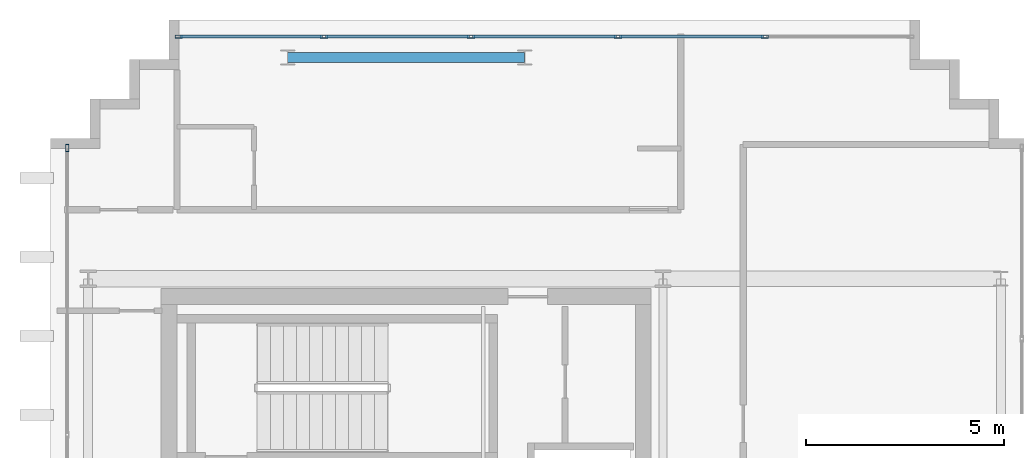
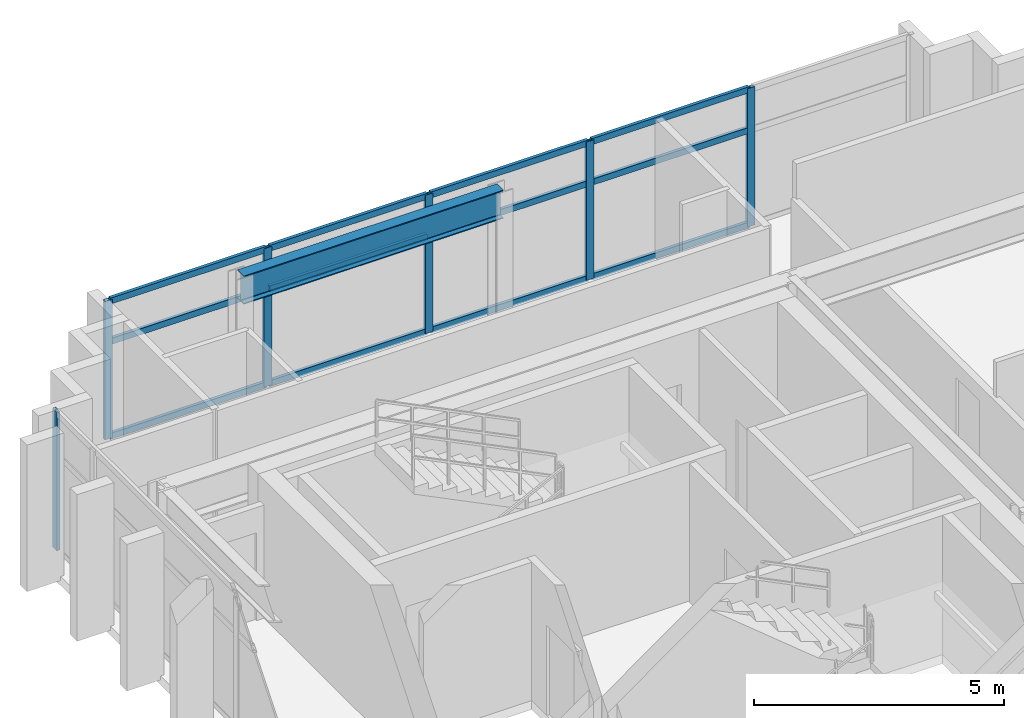
# One storey, part 9 of 15: 18 members, 1 beam, 2 elements without a shape of their own.
"""IFC4 building model written with IfcOpenShell, lengths in metres."""

from ifc_helpers import new_model, si_unit, direction, frame, origin, origin_2d, place, context, subcontext, project, spatial, hollow_rectangle, i_section, extrude, source, transform, mapped, material, layer, layer_set, material_profile, profile_set, type_object, element, aggregate, save


model = new_model("IFC4")

# Units and contexts
model_context = context("Model", 3, precision=1e-05, world=origin(), true_north=direction((0.0, 1.0)))
body_context = subcontext(model_context, "Body", "Model", "MODEL_VIEW")
ifc_project = project(units=[si_unit("LENGTHUNIT", "METRE"), si_unit("AREAUNIT", "SQUARE_METRE"), si_unit("VOLUMEUNIT", "CUBIC_METRE"), si_unit("PLANEANGLEUNIT", "RADIAN"), si_unit("MASSUNIT", "GRAM", prefix="KILO")], contexts=[model_context])

# Site, building, storey
site_placement = place(None, origin())
site = spatial("IfcSite", under=ifc_project, at=site_placement, CompositionType="ELEMENT")
building_placement = place(site_placement, origin())
building = spatial("IfcBuilding", under=site, at=building_placement, Name="Ocotamira Hotel", CompositionType="ELEMENT")
storey_placement = place(building_placement, frame((0.0, 0.0, 276.0)))
storey = spatial("IfcBuildingStorey", under=building, at=storey_placement, Name="L70", CompositionType="ELEMENT", Elevation=276.0)

# Beam
ifc_material_1 = material(Name="Steel ASTM A992 Grade 50", Category="steel")
ifc_material_profile_1 = material_profile(ifc_material_1, i_section(OverallWidth=0.256103515625, OverallDepth=0.693115234375, WebThickness=0.014404296875, FlangeThickness=0.023681640625, FilletRadius=0.01611328125, at=origin_2d()), Name="W27X114")
ifc_profile_set_1 = profile_set([ifc_material_profile_1], Name="Steel ASTM A992 Grade 50")
beam_type = type_object("IfcBeamType", Name="BM-PRIM-W27X114", PredefinedType="BEAM", material=ifc_profile_set_1)
shared_shape_1 = source(origin(), body_context, "Body", "SweptSolid", [
    extrude(i_section(OverallWidth=0.256103515625, OverallDepth=0.693115234375, WebThickness=0.014404296875, FlangeThickness=0.023681640625, FilletRadius=0.01611328125, at=origin_2d()), origin(), (0.0, 0.0, 1.0), 6.0),
])
beam_placement = place(storey_placement, frame((14.0, 43.050048828125, 3.033447265625), z_axis=(1.0, 0.0, 0.0), x_axis=(0.0, 1.0, 0.0)))
element("IfcBeam", 1, at=beam_placement, inside=storey, type_object=beam_type, Name="L70 Girder Y43.05 X14-20", PredefinedType="BEAM", context=body_context, shape_type="MappedRepresentation", body=[
    mapped(shared_shape_1, transform((0.0, 0.0, 0.0), scale=1.0)),
])

# Curtain wall, members
ifc_material_2 = material(Name="Anodised pale-metal aluminium and solar glass", Category="aluminium")
ifc_layer = layer(ifc_material_2, 0.2099609375)
ifc_layer_set = layer_set([ifc_layer], Name="Anodised pale-metal aluminium and solar glass")
curtain_wall_type = type_object("IfcCurtainWallType", Name="CW-SYS7-PEAK", PredefinedType="NOTDEFINED", material=ifc_layer_set)
curtain_wall_1_placement = place(storey_placement, origin())
curtain_wall_1 = element("IfcCurtainWall", 2, at=curtain_wall_1_placement, inside=storey, type_object=curtain_wall_type, Name="L70 Curtain Wall CW-7 CW-L70-N", PredefinedType="NOTDEFINED")
ifc_material_3 = material(Name="Anodised pale-metal aluminium 6063-T6", Category="aluminium")
ifc_material_profile_2 = material_profile(ifc_material_3, hollow_rectangle(XDim=0.080078125, YDim=0.179931640625, WallThickness=0.006103515625, at=origin_2d()), Name="HSS180X80X6")
ifc_profile_set_2 = profile_set([ifc_material_profile_2], Name="Anodised pale-metal aluminium 6063-T6")
member_type_1 = type_object("IfcMemberType", Name="CWM-180X75", PredefinedType="MULLION", material=ifc_profile_set_2)
shared_shape_2 = source(origin(), body_context, "Body", "SweptSolid", [
    extrude(hollow_rectangle(XDim=0.080078125, YDim=0.179931640625, WallThickness=0.006103515625, at=origin_2d()), origin(), (0.0, 0.0, 1.0), 3.3798828125),
])
member_1_placement = place(storey_placement, frame((11.239990234375, 43.580078125, 0.0), z_axis=(0.0, 0.0, 1.0), x_axis=(0.0, 1.0, 0.0)))
member_1 = element("IfcMember", 3, at=member_1_placement, type_object=member_type_1, Name="CW-7 mullion 1", PredefinedType="MULLION", context=body_context, shape_type="MappedRepresentation", body=[
    mapped(shared_shape_2, transform((0.0, 0.0, 0.0), scale=1.0)),
])
member_2_placement = place(storey_placement, frame((14.919921875, 43.580078125, 0.0), z_axis=(0.0, 0.0, 1.0), x_axis=(0.0, 1.0, 0.0)))
member_2 = element("IfcMember", 4, at=member_2_placement, type_object=member_type_1, Name="CW-7 mullion 2", PredefinedType="MULLION", context=body_context, shape_type="MappedRepresentation", body=[
    mapped(shared_shape_2, transform((0.0, 0.0, 0.0), scale=1.0)),
])
member_3_placement = place(storey_placement, frame((18.639892578125, 43.580078125, 0.0), z_axis=(0.0, 0.0, 1.0), x_axis=(0.0, 1.0, 0.0)))
member_3 = element("IfcMember", 5, at=member_3_placement, type_object=member_type_1, Name="CW-7 mullion 3", PredefinedType="MULLION", context=body_context, shape_type="MappedRepresentation", body=[
    mapped(shared_shape_2, transform((0.0, 0.0, 0.0), scale=1.0)),
])
member_4_placement = place(storey_placement, frame((22.360107421875, 43.580078125, 0.0), z_axis=(0.0, 0.0, 1.0), x_axis=(0.0, 1.0, 0.0)))
member_4 = element("IfcMember", 6, at=member_4_placement, type_object=member_type_1, Name="CW-7 mullion 4", PredefinedType="MULLION", context=body_context, shape_type="MappedRepresentation", body=[
    mapped(shared_shape_2, transform((0.0, 0.0, 0.0), scale=1.0)),
])
member_5_placement = place(storey_placement, frame((26.080078125, 43.580078125, 0.0), z_axis=(0.0, 0.0, 1.0), x_axis=(0.0, 1.0, 0.0)))
member_5 = element("IfcMember", 7, at=member_5_placement, type_object=member_type_1, Name="CW-7 mullion 5", PredefinedType="MULLION", context=body_context, shape_type="MappedRepresentation", body=[
    mapped(shared_shape_2, transform((0.0, 0.0, 0.0), scale=1.0)),
])

# Curtain wall, member
curtain_wall_2_placement = place(storey_placement, origin())
curtain_wall_2 = element("IfcCurtainWall", 8, at=curtain_wall_2_placement, inside=storey, type_object=curtain_wall_type, Name="L70 Curtain Wall CW-7 CW-L70-W2", PredefinedType="NOTDEFINED")
member_6_placement = place(storey_placement, frame((8.419921875, 40.760009765625, 0.0), z_axis=(0.0, 0.0, 1.0), x_axis=(-1.0, 0.0, 0.0)))
member_6 = element("IfcMember", 9, at=member_6_placement, type_object=member_type_1, Name="CW-7 mullion 3", PredefinedType="MULLION", context=body_context, shape_type="MappedRepresentation", body=[
    mapped(shared_shape_2, transform((0.0, 0.0, 0.0), scale=1.0)),
])
aggregate(curtain_wall_2, [member_6])

# Member
ifc_material_profile_3 = material_profile(ifc_material_3, hollow_rectangle(XDim=0.074951171875, YDim=0.14990234375, WallThickness=0.006103515625, at=origin_2d()), Name="HSS150X75X6")
ifc_profile_set_3 = profile_set([ifc_material_profile_3], Name="Anodised pale-metal aluminium 6063-T6")
member_type_2 = type_object("IfcMemberType", Name="CWT-150X75", PredefinedType="USERDEFINED", material=ifc_profile_set_3)
shared_shape_3 = source(origin(), body_context, "Body", "SweptSolid", [
    extrude(hollow_rectangle(XDim=0.074951171875, YDim=0.14990234375, WallThickness=0.006103515625, at=origin_2d()), origin(), (0.0, 0.0, 1.0), 3.599853515625),
])
member_7_placement = place(storey_placement, frame((11.280029296875, 43.580078125, 0.03759765625), z_axis=(1.0, 0.0, 0.0), x_axis=(0.0, 1.0, 0.0)))
member_7 = element("IfcMember", 10, at=member_7_placement, type_object=member_type_2, Name="CW-7 transom 1.1", ObjectType="TRANSOM", PredefinedType="USERDEFINED", context=body_context, shape_type="MappedRepresentation", body=[
    mapped(shared_shape_3, transform((0.0, 0.0, 0.0), scale=1.0)),
])

member_8_placement = place(storey_placement, frame((11.280029296875, 43.580078125, 2.35009765625), z_axis=(1.0, 0.0, 0.0), x_axis=(0.0, 1.0, 0.0)))
member_8 = element("IfcMember", 11, at=member_8_placement, type_object=member_type_2, Name="CW-7 transom 1.2", ObjectType="TRANSOM", PredefinedType="USERDEFINED", context=body_context, shape_type="MappedRepresentation", body=[
    mapped(shared_shape_3, transform((0.0, 0.0, 0.0), scale=1.0)),
])

member_9_placement = place(storey_placement, frame((11.280029296875, 43.580078125, 3.342529296875), z_axis=(1.0, 0.0, 0.0), x_axis=(0.0, 1.0, 0.0)))
member_9 = element("IfcMember", 12, at=member_9_placement, type_object=member_type_2, Name="CW-7 transom 1.3", ObjectType="TRANSOM", PredefinedType="USERDEFINED", context=body_context, shape_type="MappedRepresentation", body=[
    mapped(shared_shape_3, transform((0.0, 0.0, 0.0), scale=1.0)),
])

shared_shape_4 = source(origin(), body_context, "Body", "SweptSolid", [
    extrude(hollow_rectangle(XDim=0.074951171875, YDim=0.14990234375, WallThickness=0.006103515625, at=origin_2d()), origin(), (0.0, 0.0, 1.0), 3.64013671875),
])
member_10_placement = place(storey_placement, frame((14.9599609375, 43.580078125, 0.03759765625), z_axis=(1.0, 0.0, 0.0), x_axis=(0.0, 1.0, 0.0)))
member_10 = element("IfcMember", 13, at=member_10_placement, type_object=member_type_2, Name="CW-7 transom 2.1", ObjectType="TRANSOM", PredefinedType="USERDEFINED", context=body_context, shape_type="MappedRepresentation", body=[
    mapped(shared_shape_4, transform((0.0, 0.0, 0.0), scale=1.0)),
])

member_11_placement = place(storey_placement, frame((14.9599609375, 43.580078125, 2.35009765625), z_axis=(1.0, 0.0, 0.0), x_axis=(0.0, 1.0, 0.0)))
member_11 = element("IfcMember", 14, at=member_11_placement, type_object=member_type_2, Name="CW-7 transom 2.2", ObjectType="TRANSOM", PredefinedType="USERDEFINED", context=body_context, shape_type="MappedRepresentation", body=[
    mapped(shared_shape_4, transform((0.0, 0.0, 0.0), scale=1.0)),
])

member_12_placement = place(storey_placement, frame((14.9599609375, 43.580078125, 3.342529296875), z_axis=(1.0, 0.0, 0.0), x_axis=(0.0, 1.0, 0.0)))
member_12 = element("IfcMember", 15, at=member_12_placement, type_object=member_type_2, Name="CW-7 transom 2.3", ObjectType="TRANSOM", PredefinedType="USERDEFINED", context=body_context, shape_type="MappedRepresentation", body=[
    mapped(shared_shape_4, transform((0.0, 0.0, 0.0), scale=1.0)),
])

member_13_placement = place(storey_placement, frame((18.679931640625, 43.580078125, 0.03759765625), z_axis=(1.0, 0.0, 0.0), x_axis=(0.0, 1.0, 0.0)))
member_13 = element("IfcMember", 16, at=member_13_placement, type_object=member_type_2, Name="CW-7 transom 3.1", ObjectType="TRANSOM", PredefinedType="USERDEFINED", context=body_context, shape_type="MappedRepresentation", body=[
    mapped(shared_shape_4, transform((0.0, 0.0, 0.0), scale=1.0)),
])

member_14_placement = place(storey_placement, frame((18.679931640625, 43.580078125, 2.35009765625), z_axis=(1.0, 0.0, 0.0), x_axis=(0.0, 1.0, 0.0)))
member_14 = element("IfcMember", 17, at=member_14_placement, type_object=member_type_2, Name="CW-7 transom 3.2", ObjectType="TRANSOM", PredefinedType="USERDEFINED", context=body_context, shape_type="MappedRepresentation", body=[
    mapped(shared_shape_4, transform((0.0, 0.0, 0.0), scale=1.0)),
])

member_15_placement = place(storey_placement, frame((18.679931640625, 43.580078125, 3.342529296875), z_axis=(1.0, 0.0, 0.0), x_axis=(0.0, 1.0, 0.0)))
member_15 = element("IfcMember", 18, at=member_15_placement, type_object=member_type_2, Name="CW-7 transom 3.3", ObjectType="TRANSOM", PredefinedType="USERDEFINED", context=body_context, shape_type="MappedRepresentation", body=[
    mapped(shared_shape_4, transform((0.0, 0.0, 0.0), scale=1.0)),
])

member_16_placement = place(storey_placement, frame((22.39990234375, 43.580078125, 0.03759765625), z_axis=(1.0, 0.0, 0.0), x_axis=(0.0, 1.0, 0.0)))
member_16 = element("IfcMember", 19, at=member_16_placement, type_object=member_type_2, Name="CW-7 transom 4.1", ObjectType="TRANSOM", PredefinedType="USERDEFINED", context=body_context, shape_type="MappedRepresentation", body=[
    mapped(shared_shape_4, transform((0.0, 0.0, 0.0), scale=1.0)),
])

member_17_placement = place(storey_placement, frame((22.39990234375, 43.580078125, 2.35009765625), z_axis=(1.0, 0.0, 0.0), x_axis=(0.0, 1.0, 0.0)))
member_17 = element("IfcMember", 20, at=member_17_placement, type_object=member_type_2, Name="CW-7 transom 4.2", ObjectType="TRANSOM", PredefinedType="USERDEFINED", context=body_context, shape_type="MappedRepresentation", body=[
    mapped(shared_shape_4, transform((0.0, 0.0, 0.0), scale=1.0)),
])

member_18_placement = place(storey_placement, frame((22.39990234375, 43.580078125, 3.342529296875), z_axis=(1.0, 0.0, 0.0), x_axis=(0.0, 1.0, 0.0)))
member_18 = element("IfcMember", 21, at=member_18_placement, type_object=member_type_2, Name="CW-7 transom 4.3", ObjectType="TRANSOM", PredefinedType="USERDEFINED", context=body_context, shape_type="MappedRepresentation", body=[
    mapped(shared_shape_4, transform((0.0, 0.0, 0.0), scale=1.0)),
])

aggregate(curtain_wall_1, [member_1, member_2, member_3, member_4, member_5, member_7, member_8, member_9, member_10, member_11, member_12, member_13, member_14, member_15, member_16, member_17, member_18])

save(model, "model.ifc")
